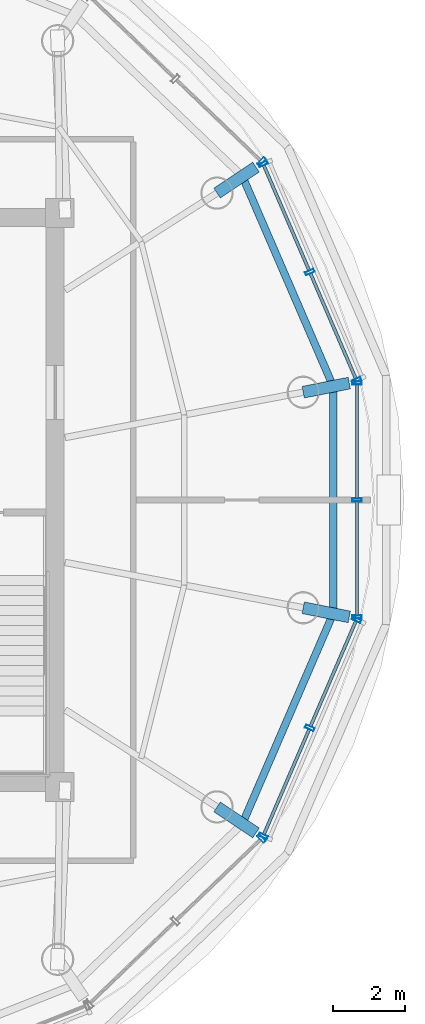
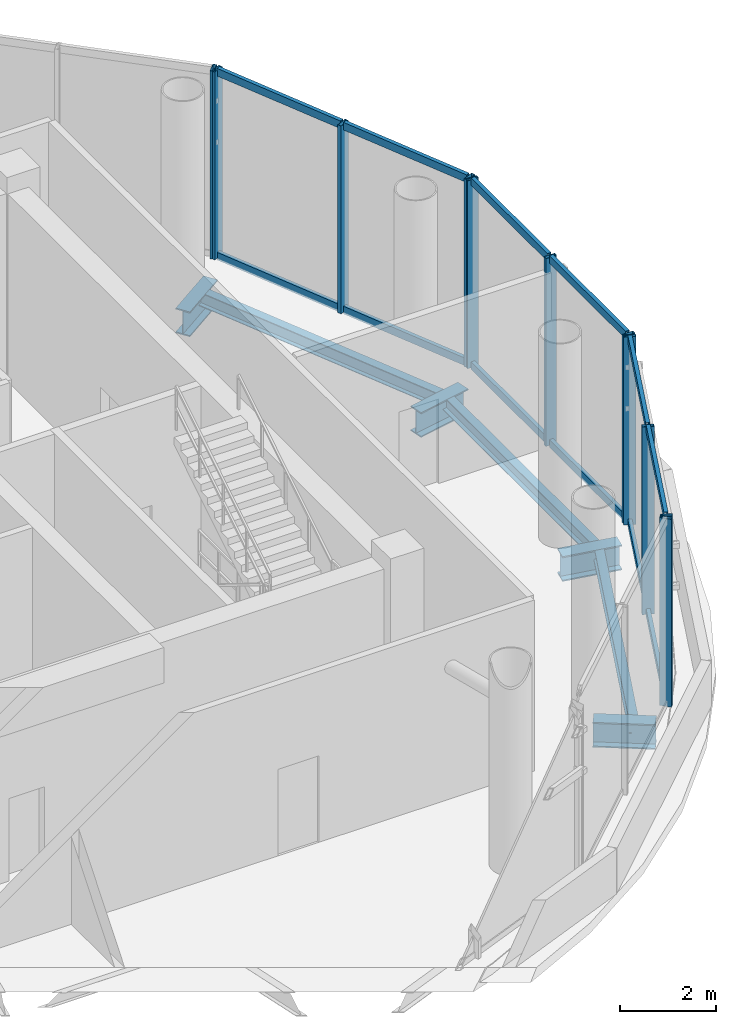
# One storey, part 8 of 15: 23 members, 7 beams, 5 elements without a shape of their own.
"""IFC4 building model written with IfcOpenShell, lengths in metres."""

from ifc_helpers import new_model, si_unit, direction, frame, origin, origin_2d, place, context, subcontext, project, spatial, hollow_rectangle, i_section, extrude, source, transform, mapped, material, material_profile, profile_set, type_object, element, aggregate, save


model = new_model("IFC4")

# Units and contexts
model_context = context("Model", 3, precision=1e-05, world=origin(), true_north=direction((-0.2419218956, 0.970295726276)))
body_context = subcontext(model_context, "Body", "Model", "MODEL_VIEW")
ifc_project = project(units=[si_unit("LENGTHUNIT", "METRE"), si_unit("AREAUNIT", "SQUARE_METRE"), si_unit("VOLUMEUNIT", "CUBIC_METRE"), si_unit("PLANEANGLEUNIT", "RADIAN"), si_unit("MASSUNIT", "GRAM", prefix="KILO")], contexts=[model_context])

# Site, building, storey
site_placement = place(None, origin())
site = spatial("IfcSite", under=ifc_project, at=site_placement, CompositionType="ELEMENT")
building_placement = place(site_placement, origin())
building = spatial("IfcBuilding", under=site, at=building_placement, Name="Cobrevalo Terracotta Tower", CompositionType="ELEMENT")
storey_placement = place(building_placement, frame((0.0, 0.0, 306.10009765625)))
storey = spatial("IfcBuildingStorey", under=building, at=storey_placement, Name="L80", CompositionType="ELEMENT", Elevation=306.10009765625)

# Beams
ifc_material_1 = material(Name="Steel S355", Category="steel")
ifc_material_profile_1 = material_profile(ifc_material_1, i_section(OverallWidth=0.3291015625, OverallDepth=0.635009765625, WebThickness=0.017822265625, FlangeThickness=0.031005859375, at=origin_2d()), Name="W 610x241")
ifc_profile_set_1 = profile_set([ifc_material_profile_1], Name="Steel S355")
beam_type_1 = type_object("IfcBeamType", Name="Structural Beam W 610x241 (Steel S355)", PredefinedType="BEAM", material=ifc_profile_set_1)
beam_1_placement = place(storey_placement, frame((55.075439453125, 30.06005859375, -0.737548828125), z_axis=(-0.980780851142, -0.195112588095, 0.0), x_axis=(0.195112588095, -0.980780851142, 0.0)))
element("IfcBeam", 1, at=beam_1_placement, inside=storey, type_object=beam_type_1, Name="L80 setback step-link girder 01", PredefinedType="BEAM", context=body_context, shape_type="SweptSolid", body=[
    extrude(i_section(OverallWidth=0.3291015625, OverallDepth=0.635009765625, WebThickness=0.017822265625, FlangeThickness=0.031005859375, at=origin_2d()), origin(), (0.0, 0.0, 1.0), 1.31005859375),
])
for number, where, z_axis, x_axis, name in (
    (2, (52.475830078125, 36.08349609375, -0.737548828125), (-0.831447648631, -0.555603102571, 0.0), (0.555603102571, -0.831447648631, 0.0), "L80 setback step-link girder 02"),
    (3, (52.475830078125, 17.516357421875, -0.737548828125), (-0.831447648631, 0.555603102571, 0.0), (-0.555603102571, -0.831447648631, 0.0), "L80 setback step-link girder 15"),
):
    element("IfcBeam", number, at=place(storey_placement, frame(where, z_axis=z_axis, x_axis=x_axis)), inside=storey, type_object=beam_type_1, Name=name, PredefinedType="BEAM", context=body_context, shape_type="SweptSolid", body=[
        extrude(i_section(OverallWidth=0.3291015625, OverallDepth=0.635009765625, WebThickness=0.017822265625, FlangeThickness=0.031005859375, at=origin_2d()), origin(), (0.0, 0.0, 1.0), 1.309814453125),
    ])
beam_2_placement = place(storey_placement, frame((55.075439453125, 23.5400390625, -0.737548828125), z_axis=(-0.980780851142, 0.195112588095, 0.0), x_axis=(-0.195112588095, -0.980780851142, 0.0)))
element("IfcBeam", 4, at=beam_2_placement, inside=storey, type_object=beam_type_1, Name="L80 setback step-link girder 16", PredefinedType="BEAM", context=body_context, shape_type="SweptSolid", body=[
    extrude(i_section(OverallWidth=0.3291015625, OverallDepth=0.635009765625, WebThickness=0.017822265625, FlangeThickness=0.031005859375, at=origin_2d()), origin(), (0.0, 0.0, 1.0), 1.31005859375),
])
ifc_material_profile_2 = material_profile(ifc_material_1, i_section(OverallWidth=0.205078125, OverallDepth=0.35400390625, WebThickness=0.009521484375, FlangeThickness=0.016845703125, at=origin_2d()), Name="W 360x79")
ifc_profile_set_2 = profile_set([ifc_material_profile_2], Name="Steel S355")
beam_type_2 = type_object("IfcBeamType", Name="Structural Spandrel W 360x79 (Steel S355)", PredefinedType="SPANDREL", material=ifc_profile_set_2)
for number, where, z_axis, x_axis, name in (
    (5, (54.624267578125, 29.97021484375, -0.59716796875), (-0.396595776552, 0.917993349661, 0.0), (-0.917993349661, -0.396595776552, 0.0), "L80 perimeter ring spandrel 01"),
    (6, (52.093505859375, 17.77197265625, -0.59716796875), (0.396595776552, 0.917993349661, 0.0), (-0.917993349661, 0.396595776552, 0.0), "L80 perimeter ring spandrel 15"),
):
    element("IfcBeam", number, at=place(storey_placement, frame(where, z_axis=z_axis, x_axis=x_axis)), inside=storey, type_object=beam_type_2, Name=name, PredefinedType="SPANDREL", context=body_context, shape_type="SweptSolid", body=[
        extrude(i_section(OverallWidth=0.205078125, OverallDepth=0.35400390625, WebThickness=0.009521484375, FlangeThickness=0.016845703125, at=origin_2d()), origin(), (0.0, 0.0, 1.0), 6.381103515625),
    ])
beam_3_placement = place(storey_placement, frame((54.624267578125, 23.6298828125, -0.59716796875), z_axis=(0.0, 1.0, 0.0), x_axis=(-1.0, 0.0, 0.0)))
element("IfcBeam", 7, at=beam_3_placement, inside=storey, type_object=beam_type_2, Name="L80 perimeter ring spandrel 16", PredefinedType="SPANDREL", context=body_context, shape_type="SweptSolid", body=[
    extrude(i_section(OverallWidth=0.205078125, OverallDepth=0.35400390625, WebThickness=0.009521484375, FlangeThickness=0.016845703125, at=origin_2d()), origin(), (0.0, 0.0, 1.0), 6.34033203125),
])

# Curtain wall, members
ifc_material_2 = material(Name="Anodized aluminium", Category="aluminium")
curtain_wall_type = type_object("IfcCurtainWallType", Name="Faceted glass-point crown structural glazing system CW-CR", PredefinedType="NOTDEFINED", material=ifc_material_2)
curtain_wall_1_placement = place(storey_placement, origin())
curtain_wall_1 = element("IfcCurtainWall", 8, at=curtain_wall_1_placement, inside=storey, type_object=curtain_wall_type, Name="L80 curtain wall CW-CRN-L80-S01", PredefinedType="NOTDEFINED")
ifc_material_profile_3 = material_profile(ifc_material_2, hollow_rectangle(XDim=0.090087890625, YDim=0.260009765625, WallThickness=0.006103515625, at=origin_2d()), Name="CWM 90x260")
ifc_profile_set_3 = profile_set([ifc_material_profile_3], Name="Anodized aluminium")
member_type_1 = type_object("IfcMemberType", Name="Crown structural glass mullion 90x260", PredefinedType="MULLION", material=ifc_profile_set_3)
shared_shape_1 = source(origin(), body_context, "Body", "SweptSolid", [
    extrude(hollow_rectangle(XDim=0.090087890625, YDim=0.260009765625, WallThickness=0.006103515625, at=origin_2d()), origin(), (0.0, 0.0, 1.0), 4.77978515625),
])
member_1_placement = place(storey_placement, frame((55.275390625, 30.1396484375, 0.0), z_axis=(0.0, 0.0, 1.0), x_axis=(-0.396058398073, 0.918225323826, 0.0)))
member_1 = element("IfcMember", 9, at=member_1_placement, type_object=member_type_1, Name="CW-CRN-L80-S01 vertical mullion 01", PredefinedType="MULLION", context=body_context, shape_type="MappedRepresentation", body=[
    mapped(shared_shape_1, transform((0.0, 0.0, 0.0), scale=1.0)),
])
member_2_placement = place(storey_placement, frame((53.97509765625, 33.154296875, 0.0), z_axis=(0.0, 0.0, 1.0), x_axis=(-0.396058398073, 0.918225323826, 0.0)))
member_2 = element("IfcMember", 10, at=member_2_placement, type_object=member_type_1, Name="CW-CRN-L80-S01 vertical mullion 02", PredefinedType="MULLION", context=body_context, shape_type="MappedRepresentation", body=[
    mapped(shared_shape_1, transform((0.0, 0.0, 0.0), scale=1.0)),
])
member_3_placement = place(storey_placement, frame((52.674560546875, 36.169189453125, 0.0), z_axis=(0.0, 0.0, 1.0), x_axis=(-0.396058398073, 0.918225323826, 0.0)))
member_3 = element("IfcMember", 11, at=member_3_placement, type_object=member_type_1, Name="CW-CRN-L80-S01 vertical mullion 03", PredefinedType="MULLION", context=body_context, shape_type="MappedRepresentation", body=[
    mapped(shared_shape_1, transform((0.0, 0.0, 0.0), scale=1.0)),
])

# Curtain wall, member
curtain_wall_2_placement = place(storey_placement, origin())
curtain_wall_2 = element("IfcCurtainWall", 12, at=curtain_wall_2_placement, inside=storey, type_object=curtain_wall_type, Name="L80 curtain wall CW-CRN-L80-S02", PredefinedType="NOTDEFINED")
member_4_placement = place(storey_placement, frame((52.6298828125, 36.2333984375, 0.0), z_axis=(0.0, 0.0, 1.0), x_axis=(-0.721276845158, 0.692646888854, 0.0)))
member_4 = element("IfcMember", 13, at=member_4_placement, type_object=member_type_1, Name="CW-CRN-L80-S02 vertical mullion 01", PredefinedType="MULLION", context=body_context, shape_type="MappedRepresentation", body=[
    mapped(shared_shape_1, transform((0.0, 0.0, 0.0), scale=1.0)),
])
aggregate(curtain_wall_2, [member_4])

curtain_wall_3_placement = place(storey_placement, origin())
curtain_wall_3 = element("IfcCurtainWall", 14, at=curtain_wall_3_placement, inside=storey, type_object=curtain_wall_type, Name="L80 curtain wall CW-CRN-L80-S14", PredefinedType="NOTDEFINED")
member_5_placement = place(storey_placement, frame((52.6298828125, 17.366455078125, 0.0), z_axis=(0.0, 0.0, 1.0), x_axis=(0.721276845158, 0.692646888854, 0.0)))
member_5 = element("IfcMember", 15, at=member_5_placement, type_object=member_type_1, Name="CW-CRN-L80-S14 vertical mullion 03", PredefinedType="MULLION", context=body_context, shape_type="MappedRepresentation", body=[
    mapped(shared_shape_1, transform((0.0, 0.0, 0.0), scale=1.0)),
])
aggregate(curtain_wall_3, [member_5])

# Curtain wall, members
curtain_wall_4_placement = place(storey_placement, origin())
curtain_wall_4 = element("IfcCurtainWall", 16, at=curtain_wall_4_placement, inside=storey, type_object=curtain_wall_type, Name="L80 curtain wall CW-CRN-L80-S15", PredefinedType="NOTDEFINED")
member_6_placement = place(storey_placement, frame((52.674560546875, 17.430908203125, 0.0), z_axis=(0.0, 0.0, 1.0), x_axis=(0.396058398073, 0.918225323826, 0.0)))
member_6 = element("IfcMember", 17, at=member_6_placement, type_object=member_type_1, Name="CW-CRN-L80-S15 vertical mullion 01", PredefinedType="MULLION", context=body_context, shape_type="MappedRepresentation", body=[
    mapped(shared_shape_1, transform((0.0, 0.0, 0.0), scale=1.0)),
])
member_7_placement = place(storey_placement, frame((53.97509765625, 20.445556640625, 0.0), z_axis=(0.0, 0.0, 1.0), x_axis=(0.396058398073, 0.918225323826, 0.0)))
member_7 = element("IfcMember", 18, at=member_7_placement, type_object=member_type_1, Name="CW-CRN-L80-S15 vertical mullion 02", PredefinedType="MULLION", context=body_context, shape_type="MappedRepresentation", body=[
    mapped(shared_shape_1, transform((0.0, 0.0, 0.0), scale=1.0)),
])
member_8_placement = place(storey_placement, frame((55.275390625, 23.46044921875, 0.0), z_axis=(0.0, 0.0, 1.0), x_axis=(0.396058398073, 0.918225323826, 0.0)))
member_8 = element("IfcMember", 19, at=member_8_placement, type_object=member_type_1, Name="CW-CRN-L80-S15 vertical mullion 03", PredefinedType="MULLION", context=body_context, shape_type="MappedRepresentation", body=[
    mapped(shared_shape_1, transform((0.0, 0.0, 0.0), scale=1.0)),
])

curtain_wall_5_placement = place(storey_placement, origin())
curtain_wall_5 = element("IfcCurtainWall", 20, at=curtain_wall_5_placement, inside=storey, type_object=curtain_wall_type, Name="L80 curtain wall CW-CRN-L80-S16", PredefinedType="NOTDEFINED")
member_9_placement = place(storey_placement, frame((55.291259765625, 23.537109375, 0.0), z_axis=(0.0, 0.0, 1.0), x_axis=(0.0, 1.0, 0.0)))
member_9 = element("IfcMember", 21, at=member_9_placement, type_object=member_type_1, Name="CW-CRN-L80-S16 vertical mullion 01", PredefinedType="MULLION", context=body_context, shape_type="MappedRepresentation", body=[
    mapped(shared_shape_1, transform((0.0, 0.0, 0.0), scale=1.0)),
])
member_10_placement = place(storey_placement, frame((55.291259765625, 26.800048828125, 0.0), z_axis=(0.0, 0.0, 1.0), x_axis=(0.0, 1.0, 0.0)))
member_10 = element("IfcMember", 22, at=member_10_placement, type_object=member_type_1, Name="CW-CRN-L80-S16 vertical mullion 02", PredefinedType="MULLION", context=body_context, shape_type="MappedRepresentation", body=[
    mapped(shared_shape_1, transform((0.0, 0.0, 0.0), scale=1.0)),
])
member_11_placement = place(storey_placement, frame((55.291259765625, 30.06298828125, 0.0), z_axis=(0.0, 0.0, 1.0), x_axis=(0.0, 1.0, 0.0)))
member_11 = element("IfcMember", 23, at=member_11_placement, type_object=member_type_1, Name="CW-CRN-L80-S16 vertical mullion 03", PredefinedType="MULLION", context=body_context, shape_type="MappedRepresentation", body=[
    mapped(shared_shape_1, transform((0.0, 0.0, 0.0), scale=1.0)),
])

# Member
ifc_material_profile_4 = material_profile(ifc_material_2, hollow_rectangle(XDim=0.090087890625, YDim=0.195068359375, WallThickness=0.005615234375, at=origin_2d()), Name="CWT 90x195")
ifc_profile_set_4 = profile_set([ifc_material_profile_4], Name="Anodized aluminium")
member_type_2 = type_object("IfcMemberType", Name="Crown structural aluminium transom 90x195", PredefinedType="USERDEFINED", material=ifc_profile_set_4)
shared_shape_2 = source(origin(), body_context, "Body", "SweptSolid", [
    extrude(hollow_rectangle(XDim=0.090087890625, YDim=0.195068359375, WallThickness=0.005615234375, at=origin_2d()), origin(), (0.0, 0.0, 1.0), 3.203369140625),
])
member_12_placement = place(storey_placement, frame((55.259521484375, 30.17626953125, 0.0498046875), z_axis=(-0.396015512265, 0.918243820587, 0.0), x_axis=(-0.918243820587, -0.396015512265, 0.0)))
member_12 = element("IfcMember", 24, at=member_12_placement, type_object=member_type_2, Name="CW-CRN-L80-S01 transom B01-T1", ObjectType="TRANSOM", PredefinedType="USERDEFINED", context=body_context, shape_type="MappedRepresentation", body=[
    mapped(shared_shape_2, transform((0.0, 0.0, 0.0), scale=1.0)),
])

member_13_placement = place(storey_placement, frame((55.259521484375, 30.17626953125, 4.72998046875), z_axis=(-0.396015512265, 0.918243820587, 0.0), x_axis=(-0.918243820587, -0.396015512265, 0.0)))
member_13 = element("IfcMember", 25, at=member_13_placement, type_object=member_type_2, Name="CW-CRN-L80-S01 transom B01-T2", ObjectType="TRANSOM", PredefinedType="USERDEFINED", context=body_context, shape_type="MappedRepresentation", body=[
    mapped(shared_shape_2, transform((0.0, 0.0, 0.0), scale=1.0)),
])

shared_shape_3 = source(origin(), body_context, "Body", "SweptSolid", [
    extrude(hollow_rectangle(XDim=0.090087890625, YDim=0.195068359375, WallThickness=0.005615234375, at=origin_2d()), origin(), (0.0, 0.0, 1.0), 3.203125),
])
member_14_placement = place(storey_placement, frame((53.959228515625, 33.191162109375, 0.0498046875), z_axis=(-0.396107491553, 0.918204146765, 0.0), x_axis=(-0.918204146765, -0.396107491553, 0.0)))
member_14 = element("IfcMember", 26, at=member_14_placement, type_object=member_type_2, Name="CW-CRN-L80-S01 transom B02-T1", ObjectType="TRANSOM", PredefinedType="USERDEFINED", context=body_context, shape_type="MappedRepresentation", body=[
    mapped(shared_shape_3, transform((0.0, 0.0, 0.0), scale=1.0)),
])

member_15_placement = place(storey_placement, frame((53.959228515625, 33.191162109375, 4.72998046875), z_axis=(-0.396107491553, 0.918204146765, 0.0), x_axis=(-0.918204146765, -0.396107491553, 0.0)))
member_15 = element("IfcMember", 27, at=member_15_placement, type_object=member_type_2, Name="CW-CRN-L80-S01 transom B02-T2", ObjectType="TRANSOM", PredefinedType="USERDEFINED", context=body_context, shape_type="MappedRepresentation", body=[
    mapped(shared_shape_3, transform((0.0, 0.0, 0.0), scale=1.0)),
])

aggregate(curtain_wall_1, [member_1, member_2, member_3, member_12, member_13, member_14, member_15])

member_16_placement = place(storey_placement, frame((52.6904296875, 17.4677734375, 0.0498046875), z_axis=(0.396107491553, 0.918204146765, 0.0), x_axis=(-0.918204146765, 0.396107491553, 0.0)))
member_16 = element("IfcMember", 28, at=member_16_placement, type_object=member_type_2, Name="CW-CRN-L80-S15 transom B01-T1", ObjectType="TRANSOM", PredefinedType="USERDEFINED", context=body_context, shape_type="MappedRepresentation", body=[
    mapped(shared_shape_3, transform((0.0, 0.0, 0.0), scale=1.0)),
])

member_17_placement = place(storey_placement, frame((52.6904296875, 17.4677734375, 4.72998046875), z_axis=(0.396107491553, 0.918204146765, 0.0), x_axis=(-0.918204146765, 0.396107491553, 0.0)))
member_17 = element("IfcMember", 29, at=member_17_placement, type_object=member_type_2, Name="CW-CRN-L80-S15 transom B01-T2", ObjectType="TRANSOM", PredefinedType="USERDEFINED", context=body_context, shape_type="MappedRepresentation", body=[
    mapped(shared_shape_3, transform((0.0, 0.0, 0.0), scale=1.0)),
])

member_18_placement = place(storey_placement, frame((53.990966796875, 20.482421875, 0.0498046875), z_axis=(0.396043228921, 0.918231866592, 0.0), x_axis=(-0.918231866592, 0.396043228921, 0.0)))
member_18 = element("IfcMember", 30, at=member_18_placement, type_object=member_type_2, Name="CW-CRN-L80-S15 transom B02-T1", ObjectType="TRANSOM", PredefinedType="USERDEFINED", context=body_context, shape_type="MappedRepresentation", body=[
    mapped(shared_shape_3, transform((0.0, 0.0, 0.0), scale=1.0)),
])

member_19_placement = place(storey_placement, frame((53.990966796875, 20.482421875, 4.72998046875), z_axis=(0.396043228921, 0.918231866592, 0.0), x_axis=(-0.918231866592, 0.396043228921, 0.0)))
member_19 = element("IfcMember", 31, at=member_19_placement, type_object=member_type_2, Name="CW-CRN-L80-S15 transom B02-T2", ObjectType="TRANSOM", PredefinedType="USERDEFINED", context=body_context, shape_type="MappedRepresentation", body=[
    mapped(shared_shape_3, transform((0.0, 0.0, 0.0), scale=1.0)),
])

aggregate(curtain_wall_4, [member_6, member_7, member_8, member_16, member_17, member_18, member_19])

shared_shape_4 = source(origin(), body_context, "Body", "SweptSolid", [
    extrude(hollow_rectangle(XDim=0.090087890625, YDim=0.195068359375, WallThickness=0.005615234375, at=origin_2d()), origin(), (0.0, 0.0, 1.0), 3.182861328125),
])
member_20_placement = place(storey_placement, frame((55.291259765625, 23.5771484375, 0.0498046875), z_axis=(0.0, 1.0, 0.0), x_axis=(-1.0, 0.0, 0.0)))
member_20 = element("IfcMember", 32, at=member_20_placement, type_object=member_type_2, Name="CW-CRN-L80-S16 transom B01-T1", ObjectType="TRANSOM", PredefinedType="USERDEFINED", context=body_context, shape_type="MappedRepresentation", body=[
    mapped(shared_shape_4, transform((0.0, 0.0, 0.0), scale=1.0)),
])

member_21_placement = place(storey_placement, frame((55.291259765625, 23.5771484375, 4.72998046875), z_axis=(0.0, 1.0, 0.0), x_axis=(-1.0, 0.0, 0.0)))
member_21 = element("IfcMember", 33, at=member_21_placement, type_object=member_type_2, Name="CW-CRN-L80-S16 transom B01-T2", ObjectType="TRANSOM", PredefinedType="USERDEFINED", context=body_context, shape_type="MappedRepresentation", body=[
    mapped(shared_shape_4, transform((0.0, 0.0, 0.0), scale=1.0)),
])

member_22_placement = place(storey_placement, frame((55.291259765625, 26.840087890625, 0.0498046875), z_axis=(0.0, 1.0, 0.0), x_axis=(-1.0, 0.0, 0.0)))
member_22 = element("IfcMember", 34, at=member_22_placement, type_object=member_type_2, Name="CW-CRN-L80-S16 transom B02-T1", ObjectType="TRANSOM", PredefinedType="USERDEFINED", context=body_context, shape_type="MappedRepresentation", body=[
    mapped(shared_shape_4, transform((0.0, 0.0, 0.0), scale=1.0)),
])

member_23_placement = place(storey_placement, frame((55.291259765625, 26.840087890625, 4.72998046875), z_axis=(0.0, 1.0, 0.0), x_axis=(-1.0, 0.0, 0.0)))
member_23 = element("IfcMember", 35, at=member_23_placement, type_object=member_type_2, Name="CW-CRN-L80-S16 transom B02-T2", ObjectType="TRANSOM", PredefinedType="USERDEFINED", context=body_context, shape_type="MappedRepresentation", body=[
    mapped(shared_shape_4, transform((0.0, 0.0, 0.0), scale=1.0)),
])

aggregate(curtain_wall_5, [member_9, member_10, member_11, member_20, member_21, member_22, member_23])

save(model, "model.ifc")
